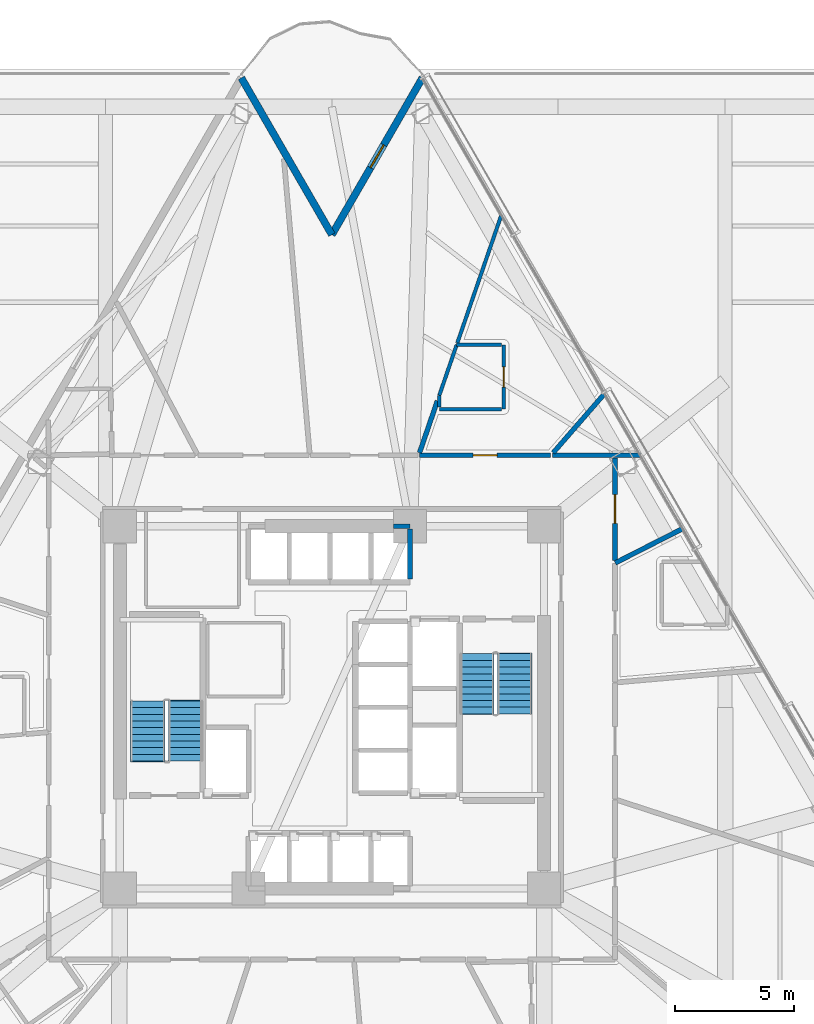
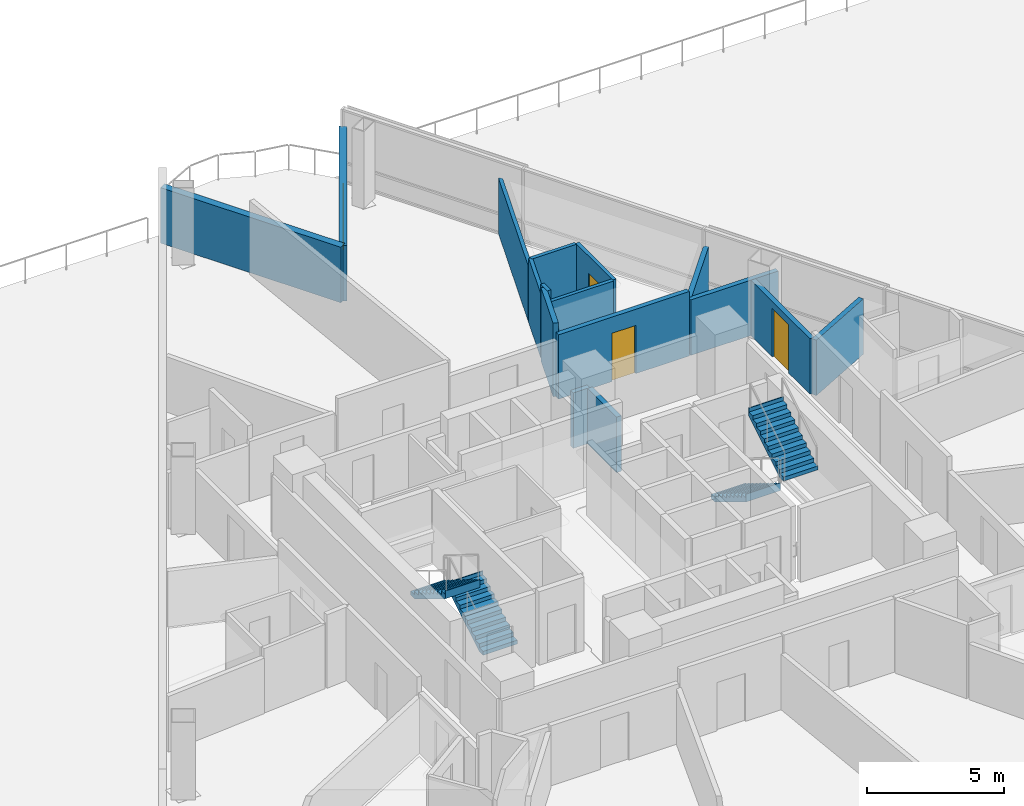
# One storey, part 12 of 19: 16 walls, 4 doors, 4 stair flights, 4 openings, 2 elements without a shape of their own.
"""IFC4 building model written with IfcOpenShell, lengths in metres."""

from ifc_helpers import new_model, si_unit, direction, frame, frame_2d, origin, place, context, subcontext, project, spatial, polyline, rectangle, outline, extrude, material, layer, layer_set, type_object, element, fill, aggregate, save


model = new_model("IFC4")

# Units and contexts
model_context = context("Model", 3, precision=1e-05, world=origin(), true_north=direction((0.0, 1.0)))
body_context = subcontext(model_context, "Body", "Model", "MODEL_VIEW")
ifc_project = project(units=[si_unit("LENGTHUNIT", "METRE"), si_unit("AREAUNIT", "SQUARE_METRE"), si_unit("VOLUMEUNIT", "CUBIC_METRE"), si_unit("PLANEANGLEUNIT", "RADIAN"), si_unit("MASSUNIT", "GRAM", prefix="KILO")], contexts=[model_context])

# Site, building, storey
site_placement = place(None, origin())
site = spatial("IfcSite", under=ifc_project, at=site_placement, CompositionType="ELEMENT")
building_placement = place(site_placement, origin())
building = spatial("IfcBuilding", under=site, at=building_placement, Name="Tharavind Bronze Gate", CompositionType="ELEMENT")
storey_placement = place(building_placement, frame((0.0, 0.0, 31.800048828125)))
storey = spatial("IfcBuildingStorey", under=building, at=storey_placement, Name="L06", CompositionType="ELEMENT", Elevation=31.800048828125)

# Wall, opening, door
ifc_material_1 = material(Name="Concrete C40/50", Category="concrete")
ifc_layer_1 = layer(ifc_material_1, 0.300048828125)
ifc_layer_set_1 = layer_set([ifc_layer_1], Name="Concrete C40/50")
wall_type_1 = type_object("IfcWallType", Name="EXTERIOR SPANDREL WALL 300", PredefinedType="STANDARD", material=ifc_layer_set_1)
wall_1_placement = place(storey_placement, frame((3.800048828125, 26.418212890625, 0.0), z_axis=(0.0, 0.0, 1.0), x_axis=(-0.500005158081, -0.866022425744, 0.0)))
wall_1 = element("IfcWall", 1, at=wall_1_placement, inside=storey, type_object=wall_type_1, Name="L06 notch cheek wall 1A", PredefinedType="STANDARD", context=body_context, shape_type="SweptSolid", body=[
    extrude(rectangle(XDim=7.60009765625, YDim=0.300048828125, at=frame_2d((3.800048828125, 0.0))), origin(), (0.0, 0.0, 1.0), 2.469970703125),
])
opening_1_placement = place(wall_1_placement, frame((3.25, 0.0, 0.0)))
opening_1 = element("IfcOpeningElement", 2, at=opening_1_placement, cuts=wall_1, Name="Opening ED04", PredefinedType="OPENING", context=body_context, shape_type="SweptSolid", body=[
    extrude(rectangle(XDim=1.10009765625, YDim=2.199951171875, at=frame_2d((0.550048828125, 1.10009765625))), frame((0.0, 0.15990234375, 0.0), z_axis=(0.0, -1.0, 0.0), x_axis=(1.0, 0.0, 0.0)), (0.0, 0.0, 1.0), 0.320048828125),
])
ifc_material_2 = material(Name="Bronze Aluminium & Toughened Glass", Category="aluminium")
door_type_1 = type_object("IfcDoorType", Name="TREE BALCONY ACCESS DOOR 1100X2200", OperationType="SINGLE_SWING_LEFT", PredefinedType="DOOR", material=ifc_material_2)
door_1_placement = place(opening_1_placement, origin())
door_1 = element("IfcDoor", 3, at=door_1_placement, inside=storey, type_object=door_type_1, Name="L06 tree balcony access door", OperationType="SINGLE_SWING_LEFT", OverallHeight=2.199951171875, OverallWidth=1.10009765625, PredefinedType="DOOR", context=body_context, shape_type="SweptSolid", body=[
    extrude(rectangle(XDim=1.10009765625, YDim=2.199951171875, at=frame_2d((0.550048828125, 1.10009765625))), frame((0.0, 0.02490234375, 0.0), z_axis=(0.0, -1.0, 0.0), x_axis=(1.0, 0.0, 0.0)), (0.0, 0.0, 1.0), 0.050048828125),
])
fill(opening_1, door_1)

# Walls
wall_2_placement = place(storey_placement, frame((0.0, 19.83642578125, 0.0), z_axis=(0.0, 0.0, 1.0), x_axis=(-0.500005158081, 0.866022425744, 0.0)))
element("IfcWall", 4, at=wall_2_placement, inside=storey, type_object=wall_type_1, Name="L06 notch cheek wall 1B", PredefinedType="STANDARD", context=body_context, shape_type="SweptSolid", body=[
    extrude(rectangle(XDim=7.60009765625, YDim=0.300048828125, at=frame_2d((3.800048828125, 0.0))), origin(), (0.0, 0.0, 1.0), 2.469970703125),
])
ifc_material_3 = material(Name="Aerated Concrete Block", Category="concrete")
ifc_layer_2 = layer(ifc_material_3, 0.199951171875)
ifc_layer_set_2 = layer_set([ifc_layer_2], Name="Aerated Concrete Block")
wall_type_2 = type_object("IfcWallType", Name="FIRE RATED PARTITION 200", PredefinedType="PARTITIONING", material=ifc_layer_set_2)
wall_3_placement = place(storey_placement, frame((11.893798828125, 6.06005859375, 0.0), z_axis=(0.0, 0.0, 1.0), x_axis=(0.89097561597, 0.454051155429, 0.0)))
element("IfcWall", 5, at=wall_3_placement, inside=storey, type_object=wall_type_2, Name="L06 Hotel Guest Room partition", PredefinedType="PARTITIONING", context=body_context, shape_type="SweptSolid", body=[
    extrude(rectangle(XDim=3.150390625, YDim=0.199951171875, at=frame_2d((1.5751953125, 0.0))), origin(), (0.0, 0.0, 1.0), 2.469970703125),
])
wall_4_placement = place(storey_placement, frame((12.944091796875, 10.580078125, 0.0), z_axis=(0.0, 0.0, 1.0), x_axis=(-1.0, 0.0, 0.0)))
element("IfcWall", 6, at=wall_4_placement, inside=storey, type_object=wall_type_2, Name="L06 Hotel Guest Lounge partition", PredefinedType="PARTITIONING", context=body_context, shape_type="SweptSolid", body=[
    extrude(rectangle(XDim=3.692138671875, YDim=0.199951171875, at=frame_2d((1.84619140625, 0.0))), origin(), (0.0, 0.0, 1.0), 2.469970703125),
])
wall_5_placement = place(storey_placement, frame((9.288330078125, 10.68505859375, 0.0), z_axis=(0.0, 0.0, 1.0), x_axis=(0.656044714013, 0.754722023805, 0.0)))
element("IfcWall", 7, at=wall_5_placement, inside=storey, type_object=wall_type_2, Name="L06 Hotel Guest Lounge partition", PredefinedType="PARTITIONING", context=body_context, shape_type="SweptSolid", body=[
    extrude(rectangle(XDim=3.29296875, YDim=0.199951171875, at=frame_2d((1.646484375, 0.0))), origin(), (0.0, 0.0, 1.0), 2.469970703125),
])

# Wall, opening, door
wall_6_placement = place(storey_placement, frame((11.8798828125, 6.1708984375, 0.0), z_axis=(0.0, 0.0, 1.0), x_axis=(0.0, 1.0, 0.0)))
wall_6 = element("IfcWall", 8, at=wall_6_placement, inside=storey, type_object=wall_type_2, Name="L06 Hotel Guest Lounge partition", PredefinedType="PARTITIONING", context=body_context, shape_type="SweptSolid", body=[
    extrude(rectangle(XDim=4.30419921875, YDim=0.199951171875, at=frame_2d((2.152099609375, 0.0))), origin(), (0.0, 0.0, 1.0), 2.469970703125),
])
opening_2_placement = place(wall_6_placement, frame((1.552001953125, 0.0, 0.0)))
opening_2 = element("IfcOpeningElement", 9, at=opening_2_placement, cuts=wall_6, Name="Opening ID05", PredefinedType="OPENING", context=body_context, shape_type="SweptSolid", body=[
    extrude(rectangle(XDim=1.199951171875, YDim=2.14990234375, at=frame_2d((0.60009765625, 1.074951171875))), frame((0.0, 0.11009765625, 0.0), z_axis=(0.0, -1.0, 0.0), x_axis=(1.0, 0.0, 0.0)), (0.0, 0.0, 1.0), 0.219951171875),
])
ifc_material_4 = material(Name="Acoustic Laminated Glass", Category="glass")
door_type_2 = type_object("IfcDoorType", Name="MEETING ROOM GLAZED DOOR 1200X2150", OperationType="SINGLE_SWING_LEFT", PredefinedType="DOOR", material=ifc_material_4)
door_2_placement = place(opening_2_placement, origin())
door_2 = element("IfcDoor", 10, at=door_2_placement, inside=storey, type_object=door_type_2, Name="L06 Hotel Guest Lounge door", OperationType="SINGLE_SWING_LEFT", OverallHeight=2.14990234375, OverallWidth=1.199951171875, PredefinedType="DOOR", context=body_context, shape_type="SweptSolid", body=[
    extrude(rectangle(XDim=1.199951171875, YDim=2.14990234375, at=frame_2d((0.60009765625, 1.074951171875))), frame((0.0, 0.02490234375, 0.0), z_axis=(0.0, -1.0, 0.0), x_axis=(1.0, 0.0, 0.0)), (0.0, 0.0, 1.0), 0.050048828125),
])
fill(opening_2, door_2)

wall_7_placement = place(storey_placement, frame((9.185791015625, 10.580078125, 0.0), z_axis=(0.0, 0.0, 1.0), x_axis=(-1.0, 0.0, 0.0)))
wall_7 = element("IfcWall", 11, at=wall_7_placement, inside=storey, type_object=wall_type_2, Name="L06 Hotel Deluxe Room partition", PredefinedType="PARTITIONING", context=body_context, shape_type="SweptSolid", body=[
    extrude(rectangle(XDim=5.5078125, YDim=0.199951171875, at=frame_2d((2.75390625, 0.0))), origin(), (0.0, 0.0, 1.0), 2.869873046875),
])
opening_3_placement = place(wall_7_placement, frame((2.25390625, 0.0, 0.0)))
opening_3 = element("IfcOpeningElement", 12, at=opening_3_placement, cuts=wall_7, Name="Opening ID03", PredefinedType="OPENING", context=body_context, shape_type="SweptSolid", body=[
    extrude(rectangle(XDim=1.0, YDim=2.14990234375, at=frame_2d((0.5, 1.074951171875))), frame((0.0, 0.11009765625, 0.0), z_axis=(0.0, -1.0, 0.0), x_axis=(1.0, 0.0, 0.0)), (0.0, 0.0, 1.0), 0.219951171875),
])
ifc_material_5 = material(Name="Solid Timber Veneer", Category="wood")
door_type_3 = type_object("IfcDoorType", Name="HOTEL SUITE ENTRANCE DOOR 1000X2150", OperationType="SINGLE_SWING_LEFT", PredefinedType="DOOR", material=ifc_material_5)
door_3_placement = place(opening_3_placement, origin())
door_3 = element("IfcDoor", 13, at=door_3_placement, inside=storey, type_object=door_type_3, Name="L06 Hotel Deluxe Room door", OperationType="SINGLE_SWING_LEFT", OverallHeight=2.14990234375, OverallWidth=1.0, PredefinedType="DOOR", context=body_context, shape_type="SweptSolid", body=[
    extrude(rectangle(XDim=1.0, YDim=2.14990234375, at=frame_2d((0.5, 1.074951171875))), frame((0.0, 0.02490234375, 0.0), z_axis=(0.0, -1.0, 0.0), x_axis=(1.0, 0.0, 0.0)), (0.0, 0.0, 1.0), 0.050048828125),
])
fill(opening_3, door_3)

# Wall
wall_8_placement = place(storey_placement, frame((3.67919921875, 10.68505859375, 0.0), z_axis=(0.0, 0.0, 1.0), x_axis=(0.325506719361, 0.945539727167, 0.0)))
element("IfcWall", 14, at=wall_8_placement, inside=storey, type_object=wall_type_2, Name="L06 Hotel Deluxe Room partition", PredefinedType="PARTITIONING", context=body_context, shape_type="SweptSolid", body=[
    extrude(rectangle(XDim=2.301025390625, YDim=0.199951171875, at=frame_2d((1.150390625, 0.0))), origin(), (0.0, 0.0, 1.0), 3.27490234375),
])

# Wall, opening, door
ifc_material_6 = material(Name="Twin Stud Acoustic Gypsum", Category="gypsum")
ifc_layer_3 = layer(ifc_material_6, 0.14990234375)
ifc_layer_set_3 = layer_set([ifc_layer_3], Name="Twin Stud Acoustic Gypsum")
wall_type_3 = type_object("IfcWallType", Name="INTERIOR PARTITION WALL 150", PredefinedType="PARTITIONING", material=ifc_layer_set_3)
wall_9_placement = place(storey_placement, frame((7.208251953125, 15.217041015625, 0.0), z_axis=(0.0, 0.0, 1.0), x_axis=(0.0, -1.0, 0.0)))
wall_9 = element("IfcWall", 15, at=wall_9_placement, inside=storey, type_object=wall_type_3, Name="L06 En-Suite Bathroom partition", PredefinedType="PARTITIONING", context=body_context, shape_type="SweptSolid", body=[
    extrude(rectangle(XDim=2.699951171875, YDim=0.14990234375, at=frame_2d((1.35009765625, 0.0))), origin(), (0.0, 0.0, 1.0), 2.869873046875),
])
opening_4_placement = place(wall_9_placement, frame((0.925048828125, 0.0, 0.0)))
opening_4 = element("IfcOpeningElement", 16, at=opening_4_placement, cuts=wall_9, Name="Opening ID06", PredefinedType="OPENING", context=body_context, shape_type="SweptSolid", body=[
    extrude(rectangle(XDim=0.85009765625, YDim=2.10009765625, at=frame_2d((0.425048828125, 1.050048828125))), frame((0.0, 0.084951171875, 0.0), z_axis=(0.0, -1.0, 0.0), x_axis=(1.0, 0.0, 0.0)), (0.0, 0.0, 1.0), 0.16990234375),
])
ifc_material_7 = material(Name="Moisture-Resistant Timber", Category="wood")
door_type_4 = type_object("IfcDoorType", Name="BATHROOM PRIVACY DOOR 850X2100", OperationType="SINGLE_SWING_RIGHT", PredefinedType="DOOR", material=ifc_material_7)
door_4_placement = place(opening_4_placement, origin())
door_4 = element("IfcDoor", 17, at=door_4_placement, inside=storey, type_object=door_type_4, Name="L06 En-Suite Bathroom door", OperationType="SINGLE_SWING_RIGHT", OverallHeight=2.10009765625, OverallWidth=0.85009765625, PredefinedType="DOOR", context=body_context, shape_type="SweptSolid", body=[
    extrude(rectangle(XDim=0.85009765625, YDim=2.10009765625, at=frame_2d((0.425048828125, 1.050048828125))), frame((0.0, 0.02490234375, 0.0), z_axis=(0.0, -1.0, 0.0), x_axis=(1.0, 0.0, 0.0)), (0.0, 0.0, 1.0), 0.050048828125),
])
fill(opening_4, door_4)

# Walls
wall_10_placement = place(storey_placement, frame((7.12841796875, 12.51708984375, 0.0), z_axis=(0.0, 0.0, 1.0), x_axis=(-1.0, 0.0, 0.0)))
element("IfcWall", 18, at=wall_10_placement, inside=storey, type_object=wall_type_3, Name="L06 En-Suite Bathroom partition", PredefinedType="PARTITIONING", context=body_context, shape_type="SweptSolid", body=[
    extrude(rectangle(XDim=2.6201171875, YDim=0.14990234375, at=frame_2d((1.31005859375, 0.0))), origin(), (0.0, 0.0, 1.0), 2.869873046875),
])
wall_11_placement = place(storey_placement, frame((4.50830078125, 12.59716796875, 0.0), z_axis=(0.0, 0.0, 1.0), x_axis=(0.0, 1.0, 0.0)))
element("IfcWall", 19, at=wall_11_placement, inside=storey, type_object=wall_type_3, Name="L06 En-Suite Bathroom partition", PredefinedType="PARTITIONING", context=body_context, shape_type="SweptSolid", body=[
    extrude(rectangle(XDim=0.49609375, YDim=0.14990234375, at=frame_2d((0.248046875, 0.0))), origin(), (0.0, 0.0, 1.0), 3.27490234375),
])
wall_12_placement = place(storey_placement, frame((4.50830078125, 13.09326171875, 0.0), z_axis=(0.0, 0.0, 1.0), x_axis=(0.325635598236, 0.945495350153, 0.0)))
element("IfcWall", 20, at=wall_12_placement, inside=storey, type_object=wall_type_3, Name="L06 En-Suite Bathroom partition", PredefinedType="PARTITIONING", context=body_context, shape_type="SweptSolid", body=[
    extrude(rectangle(XDim=2.24609375, YDim=0.14990234375, at=frame_2d((1.123046875, 0.0))), origin(), (0.0, 0.0, 1.0), 2.869873046875),
])
wall_13_placement = place(storey_placement, frame((5.23974609375, 15.217041015625, 0.0), z_axis=(0.0, 0.0, 1.0), x_axis=(1.0, 0.0, 0.0)))
element("IfcWall", 21, at=wall_13_placement, inside=storey, type_object=wall_type_3, Name="L06 En-Suite Bathroom partition", PredefinedType="PARTITIONING", context=body_context, shape_type="SweptSolid", body=[
    extrude(rectangle(XDim=1.888671875, YDim=0.14990234375, at=frame_2d((0.9443359375, 0.0))), origin(), (0.0, 0.0, 1.0), 2.869873046875),
])
wall_14_placement = place(storey_placement, frame((5.26708984375, 15.297119140625, 0.0), z_axis=(0.0, 0.0, 1.0), x_axis=(0.325605473746, 0.945505724714, 0.0)))
element("IfcWall", 22, at=wall_14_placement, inside=storey, type_object=wall_type_3, Name="L06 Hotel Deluxe Room partition", PredefinedType="PARTITIONING", context=body_context, shape_type="SweptSolid", body=[
    extrude(rectangle(XDim=5.684326171875, YDim=0.14990234375, at=frame_2d((2.84228515625, 0.0))), origin(), (0.0, 0.0, 1.0), 2.469970703125),
])
ifc_layer_4 = layer(ifc_material_1, 0.199951171875)
ifc_layer_set_4 = layer_set([ifc_layer_4], Name="Concrete C40/50")
wall_type_4 = type_object("IfcWallType", Name="SHAFT ENCLOSURE WALL 200", PredefinedType="PARTITIONING", material=ifc_layer_set_4)
wall_15_placement = place(storey_placement, frame((2.580078125, 7.60009765625, 0.0), z_axis=(0.0, 0.0, 1.0), x_axis=(1.0, 0.0, 0.0)))
element("IfcWall", 23, at=wall_15_placement, inside=storey, type_object=wall_type_4, Name="L06 lift PL8 shaft N enclosure wall", PredefinedType="PARTITIONING", context=body_context, shape_type="SweptSolid", body=[
    extrude(rectangle(XDim=0.699951171875, YDim=0.199951171875, at=frame_2d((0.35009765625, 0.0))), origin(), (0.0, 0.0, 1.0), 2.469970703125),
])
wall_16_placement = place(storey_placement, frame((3.280029296875, 5.3798828125, 0.0), z_axis=(0.0, 0.0, 1.0), x_axis=(0.0, 1.0, 0.0)))
element("IfcWall", 24, at=wall_16_placement, inside=storey, type_object=wall_type_4, Name="L06 lift PL8 shaft E enclosure wall", PredefinedType="PARTITIONING", context=body_context, shape_type="SweptSolid", body=[
    extrude(rectangle(XDim=2.115234375, YDim=0.199951171875, at=frame_2d((1.0576171875, 0.0))), origin(), (0.0, 0.0, 1.0), 2.469970703125),
])

# Stair, stair flights
stair_type = type_object("IfcStairType", Name="CORE HALF TURN STAIR 1450", PredefinedType="HALF_TURN_STAIR", material=ifc_material_1)
stair_1_placement = place(storey_placement, origin())
stair_1 = element("IfcStair", 25, at=stair_1_placement, inside=storey, type_object=stair_type, Name="L06 Protected Exit Stair ST1", PredefinedType="HALF_TURN_STAIR")
stair_flight_type = type_object("IfcStairFlightType", Name="CORE STAIR FLIGHT 1450", PredefinedType="STRAIGHT", material=ifc_material_1)
stair_flight_1_placement = place(storey_placement, frame((-6.125, -2.25, 0.0), z_axis=(0.0, 0.0, 1.0), x_axis=(0.0, 1.0, 0.0)))
stair_flight_1 = element("IfcStairFlight", 26, at=stair_flight_1_placement, type_object=stair_flight_type, Name="ST1 flight 1", NumberOfRisers=10, NumberOfTreads=9, PredefinedType="STRAIGHT", RiserHeight=0.1725, TreadLength=0.28, context=body_context, shape_type="SweptSolid", body=[
    extrude(outline(polyline([(0.0, 0.0), (0.0, 0.172607421875), (0.280029296875, 0.172607421875), (0.280029296875, 0.344970703125), (0.56005859375, 0.344970703125), (0.56005859375, 0.517578125), (0.840087890625, 0.517578125), (0.840087890625, 0.68994140625), (1.1201171875, 0.68994140625), (1.1201171875, 0.862548828125), (1.39990234375, 0.862548828125), (1.39990234375, 1.034912109375), (1.679931640625, 1.034912109375), (1.679931640625, 1.20751953125), (1.9599609375, 1.20751953125), (1.9599609375, 1.3798828125), (2.239990234375, 1.3798828125), (2.239990234375, 1.552490234375), (2.52001953125, 1.552490234375), (2.52001953125, 1.72509765625), (2.555908203125, 1.72509765625), (2.555908203125, 1.37646484375), (0.285888671875, 0.0), (0.0, 0.0)])), frame((0.0, 0.72509765625, 0.0), z_axis=(0.0, -1.0, 0.0), x_axis=(1.0, 0.0, 0.0)), (0.0, 0.0, 1.0), 1.449951171875),
])
stair_flight_2_placement = place(storey_placement, frame((-7.72509765625, 0.27001953125, 1.724853515625), z_axis=(0.0, 0.0, 1.0), x_axis=(0.0, -1.0, 0.0)))
stair_flight_2 = element("IfcStairFlight", 27, at=stair_flight_2_placement, type_object=stair_flight_type, Name="ST1 flight 2", NumberOfRisers=10, NumberOfTreads=9, PredefinedType="STRAIGHT", RiserHeight=0.1725, TreadLength=0.28, context=body_context, shape_type="SweptSolid", body=[
    extrude(outline(polyline([(0.0, 0.0), (0.0, 0.172607421875), (0.280029296875, 0.172607421875), (0.280029296875, 0.344970703125), (0.56005859375, 0.344970703125), (0.56005859375, 0.517578125), (0.840087890625, 0.517578125), (0.840087890625, 0.68994140625), (1.1201171875, 0.68994140625), (1.1201171875, 0.862548828125), (1.39990234375, 0.862548828125), (1.39990234375, 1.034912109375), (1.679931640625, 1.034912109375), (1.679931640625, 1.20751953125), (1.9599609375, 1.20751953125), (1.9599609375, 1.3798828125), (2.239990234375, 1.3798828125), (2.239990234375, 1.552490234375), (2.52001953125, 1.552490234375), (2.52001953125, 1.72509765625), (2.555908203125, 1.72509765625), (2.555908203125, 1.37646484375), (0.285888671875, 0.0), (0.0, 0.0)])), frame((0.0, 0.72509765625, 0.0), z_axis=(0.0, -1.0, 0.0), x_axis=(1.0, 0.0, 0.0)), (0.0, 0.0, 1.0), 1.449951171875),
])
aggregate(stair_1, [stair_flight_1, stair_flight_2])

stair_2_placement = place(storey_placement, origin())
stair_2 = element("IfcStair", 28, at=stair_2_placement, inside=storey, type_object=stair_type, Name="L06 Protected Exit Stair ST2", PredefinedType="HALF_TURN_STAIR")
stair_flight_3_placement = place(storey_placement, frame((6.074951171875, 2.25, 0.0), z_axis=(0.0, 0.0, 1.0), x_axis=(0.0, -1.0, 0.0)))
stair_flight_3 = element("IfcStairFlight", 29, at=stair_flight_3_placement, type_object=stair_flight_type, Name="ST2 flight 1", NumberOfRisers=10, NumberOfTreads=9, PredefinedType="STRAIGHT", RiserHeight=0.1725, TreadLength=0.28, context=body_context, shape_type="SweptSolid", body=[
    extrude(outline(polyline([(0.0, 0.0), (0.0, 0.172607421875), (0.280029296875, 0.172607421875), (0.280029296875, 0.344970703125), (0.56005859375, 0.344970703125), (0.56005859375, 0.517578125), (0.840087890625, 0.517578125), (0.840087890625, 0.68994140625), (1.1201171875, 0.68994140625), (1.1201171875, 0.862548828125), (1.39990234375, 0.862548828125), (1.39990234375, 1.034912109375), (1.679931640625, 1.034912109375), (1.679931640625, 1.20751953125), (1.9599609375, 1.20751953125), (1.9599609375, 1.3798828125), (2.239990234375, 1.3798828125), (2.239990234375, 1.552490234375), (2.52001953125, 1.552490234375), (2.52001953125, 1.72509765625), (2.555908203125, 1.72509765625), (2.555908203125, 1.37646484375), (0.285888671875, 0.0), (0.0, 0.0)])), frame((0.0, 0.72509765625, 0.0), z_axis=(0.0, -1.0, 0.0), x_axis=(1.0, 0.0, 0.0)), (0.0, 0.0, 1.0), 1.449951171875),
])
stair_flight_4_placement = place(storey_placement, frame((7.675048828125, -0.27001953125, 1.724853515625), z_axis=(0.0, 0.0, 1.0), x_axis=(0.0, 1.0, 0.0)))
stair_flight_4 = element("IfcStairFlight", 30, at=stair_flight_4_placement, type_object=stair_flight_type, Name="ST2 flight 2", NumberOfRisers=10, NumberOfTreads=9, PredefinedType="STRAIGHT", RiserHeight=0.1725, TreadLength=0.28, context=body_context, shape_type="SweptSolid", body=[
    extrude(outline(polyline([(0.0, 0.0), (0.0, 0.172607421875), (0.280029296875, 0.172607421875), (0.280029296875, 0.344970703125), (0.56005859375, 0.344970703125), (0.56005859375, 0.517578125), (0.840087890625, 0.517578125), (0.840087890625, 0.68994140625), (1.1201171875, 0.68994140625), (1.1201171875, 0.862548828125), (1.39990234375, 0.862548828125), (1.39990234375, 1.034912109375), (1.679931640625, 1.034912109375), (1.679931640625, 1.20751953125), (1.9599609375, 1.20751953125), (1.9599609375, 1.3798828125), (2.239990234375, 1.3798828125), (2.239990234375, 1.552490234375), (2.52001953125, 1.552490234375), (2.52001953125, 1.72509765625), (2.555908203125, 1.72509765625), (2.555908203125, 1.37646484375), (0.285888671875, 0.0), (0.0, 0.0)])), frame((0.0, 0.72509765625, 0.0), z_axis=(0.0, -1.0, 0.0), x_axis=(1.0, 0.0, 0.0)), (0.0, 0.0, 1.0), 1.449951171875),
])
aggregate(stair_2, [stair_flight_3, stair_flight_4])

save(model, "model.ifc")
